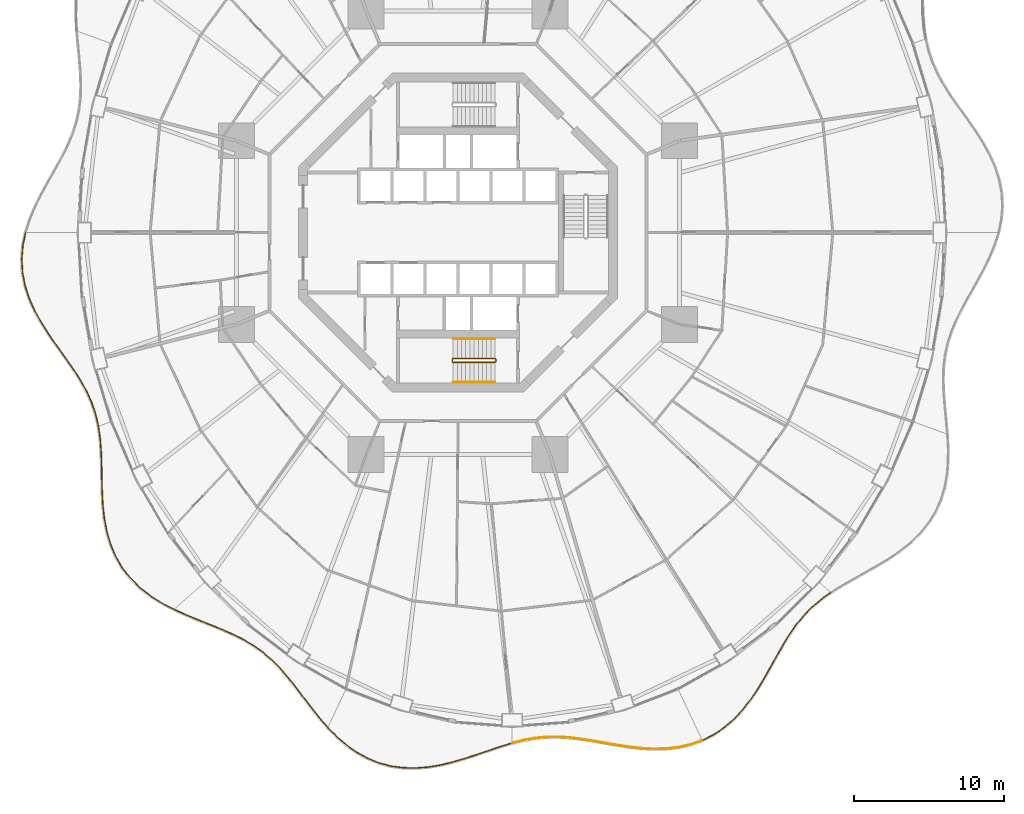
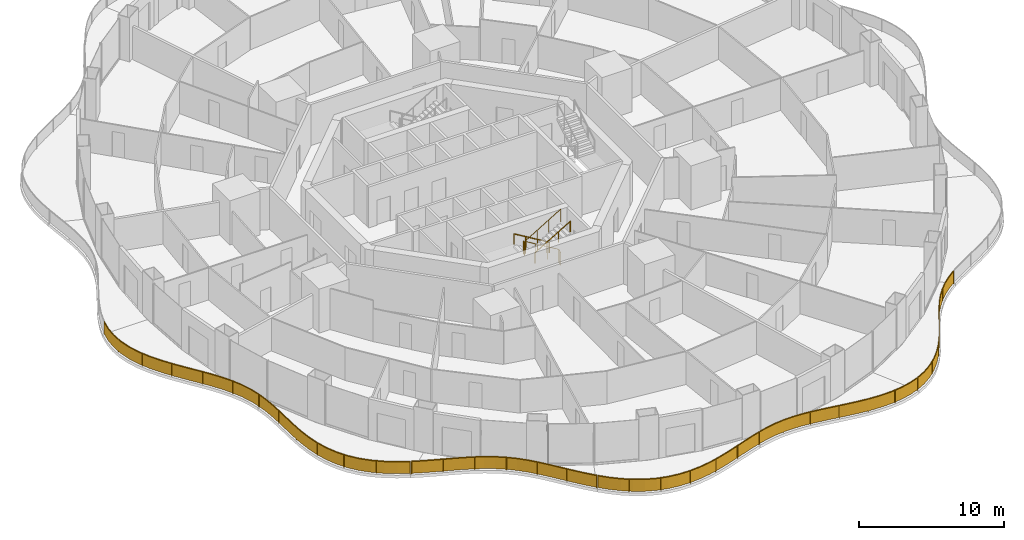
# One storey, part 20 of 22: 9 railings.
"""IFC4 building model written with IfcOpenShell, lengths in metres."""

from ifc_helpers import new_model, si_unit, direction, frame, origin, origin_2d, place, context, subcontext, project, spatial, polyline, rectangle, circle, outline, extrude, material, type_object, element, save


model = new_model("IFC4")

# Units and contexts
model_context = context("Model", 3, precision=1e-05, world=origin(), true_north=direction((0.0, 1.0)))
body_context = subcontext(model_context, "Body", "Model", "MODEL_VIEW")
ifc_project = project(units=[si_unit("LENGTHUNIT", "METRE"), si_unit("AREAUNIT", "SQUARE_METRE"), si_unit("VOLUMEUNIT", "CUBIC_METRE"), si_unit("PLANEANGLEUNIT", "RADIAN"), si_unit("MASSUNIT", "GRAM", prefix="KILO")], contexts=[model_context])

# Site, building, storey
site_placement = place(None, origin())
site = spatial("IfcSite", under=ifc_project, at=site_placement, CompositionType="ELEMENT")
building_placement = place(site_placement, origin())
building = spatial("IfcBuilding", under=site, at=building_placement, Name="Nagisa Residences", CompositionType="ELEMENT")
storey_placement = place(building_placement, frame((0.0, 0.0, 52.89990234375)))
storey = spatial("IfcBuildingStorey", under=building, at=storey_placement, Name="L12", CompositionType="ELEMENT", Elevation=52.89990234375)

# Railings
ifc_material_1 = material(Name="Stainless steel 316", Category="steel")
railing_type_1 = type_object("IfcRailingType", Name="BALCONY GUARD 1100", PredefinedType="BALUSTRADE", material=ifc_material_1)
railing_1_placement = place(storey_placement, frame((-28.8359375, -0.037841796875, 0.0)))
element("IfcRailing", 1, at=railing_1_placement, inside=storey, type_object=railing_type_1, Name="guard:L12:bal08-0", PredefinedType="BALUSTRADE", context=body_context, shape_type="SweptSolid", body=[
    extrude(outline(polyline([(-0.1494140625, -0.84423828125), (0.0244140625, -0.005126953125), (-0.0244140625, 0.005126953125), (-0.19921875, -0.83740234375), (-0.269287109375, -1.729736328125), (-0.22021484375, -2.619384765625), (-0.052490234375, -3.4990234375), (0.22607421875, -4.363037109375), (0.6005859375, -5.19189453125), (1.0546875, -6.0107421875), (1.563720703125, -6.80517578125), (2.101806640625, -7.577392578125), (2.64306640625, -8.331787109375), (3.158935546875, -9.060791015625), (3.63427734375, -9.799560546875), (4.048583984375, -10.54296875), (4.390625, -11.30029296875), (4.654296875, -12.078857421875), (4.832763671875, -12.845703125), (4.881591796875, -12.83447265625), (4.70263671875, -12.065185546875), (4.43701171875, -11.28173828125), (4.093505859375, -10.5205078125), (3.67724609375, -9.773681640625), (3.200439453125, -9.032958984375), (2.68359375, -8.302978515625), (2.142822265625, -7.548583984375), (1.605224609375, -6.77734375), (1.09765625, -5.98486328125), (0.6455078125, -5.16943359375), (0.27294921875, -4.344970703125), (-0.004150390625, -3.48681640625), (-0.17041015625, -2.613525390625), (-0.218994140625, -1.730224609375), (-0.1494140625, -0.84423828125)])), frame((0.0, 0.0, 1.050048828125)), (0.0, 0.0, 1.0), 0.050048828125),
    extrude(outline(polyline([(-0.16748046875, -0.841796875), (0.0068359375, -0.00146484375), (-0.0068359375, 0.00146484375), (-0.18115234375, -0.83984375), (-0.251220703125, -1.72998046875), (-0.202392578125, -2.6171875), (-0.03515625, -3.49462890625), (0.242919921875, -4.3564453125), (0.61669921875, -5.183837890625), (1.070068359375, -6.00146484375), (1.57861328125, -6.795166015625), (2.11669921875, -7.567138671875), (2.65771484375, -8.321533203125), (3.173828125, -9.05078125), (3.649658203125, -9.790283203125), (4.064697265625, -10.534912109375), (4.4072265625, -11.293701171875), (4.671630859375, -12.073974609375), (4.850341796875, -12.841552734375), (4.864013671875, -12.838623046875), (4.685302734375, -12.070068359375), (4.42041015625, -11.288330078125), (4.077392578125, -10.528564453125), (3.661865234375, -9.782958984375), (3.185546875, -9.04296875), (2.6689453125, -8.313232421875), (2.1279296875, -7.558837890625), (1.59033203125, -6.787353515625), (1.082275390625, -5.994140625), (0.62939453125, -5.177490234375), (0.256103515625, -4.3515625), (-0.021484375, -3.4912109375), (-0.188232421875, -2.61572265625), (-0.237060546875, -1.72998046875), (-0.16748046875, -0.841796875)])), frame((0.0, 0.0, 0.06005859375)), (0.0, 0.0, 1.0), 0.989990234375),
    extrude(rectangle(XDim=0.0400390625, YDim=0.0400390625, at=origin_2d()), origin(), (0.0, 0.0, 1.0), 1.050048828125),
    extrude(rectangle(XDim=0.0400390625, YDim=0.0400390625, at=origin_2d()), frame((-0.210693359375, -2.338623046875, 0.0)), (0.0, 0.0, 1.0), 1.050048828125),
    extrude(rectangle(XDim=0.0400390625, YDim=0.0400390625, at=origin_2d()), frame((0.366943359375, -4.613525390625, 0.0)), (0.0, 0.0, 1.0), 1.050048828125),
    extrude(rectangle(XDim=0.0400390625, YDim=0.0400390625, at=origin_2d()), frame((1.509521484375, -6.67431640625, 0.0)), (0.0, 0.0, 1.0), 1.050048828125),
    extrude(rectangle(XDim=0.0400390625, YDim=0.0400390625, at=origin_2d()), frame((2.866943359375, -8.60498046875, 0.0)), (0.0, 0.0, 1.0), 1.050048828125),
    extrude(rectangle(XDim=0.0400390625, YDim=0.0400390625, at=origin_2d()), frame((4.1064453125, -10.610107421875, 0.0)), (0.0, 0.0, 1.0), 1.050048828125),
    extrude(rectangle(XDim=0.0400390625, YDim=0.0400390625, at=origin_2d()), frame((4.857177734375, -12.840087890625, 0.0)), (0.0, 0.0, 1.0), 1.050048828125),
])
railing_2_placement = place(storey_placement, frame((-23.96728515625, -12.947021484375, 0.0)))
element("IfcRailing", 2, at=railing_2_placement, inside=storey, type_object=railing_type_1, Name="guard:L12:bal09-0", PredefinedType="BALUSTRADE", context=body_context, shape_type="SweptSolid", body=[
    extrude(outline(polyline([(0.135498046875, -0.769775390625), (0.024658203125, 0.003662109375), (-0.024658203125, -0.003662109375), (0.085693359375, -0.775146484375), (0.15087890625, -1.618408203125), (0.181396484375, -2.49072265625), (0.197265625, -3.386474609375), (0.2197265625, -4.29833984375), (0.2646484375, -5.20263671875), (0.3662109375, -6.113525390625), (0.535888671875, -7.004638671875), (0.7880859375, -7.862548828125), (1.133056640625, -8.6748046875), (1.56689453125, -9.4189453125), (2.104248046875, -10.110107421875), (2.731689453125, -10.73291015625), (3.4375, -11.286376953125), (4.20654296875, -11.773681640625), (4.981689453125, -12.179443359375), (5.005126953125, -12.135009765625), (4.2314453125, -11.730224609375), (3.46630859375, -11.245361328125), (2.764892578125, -10.6953125), (2.141845703125, -10.076904296875), (1.6083984375, -9.390625), (1.177978515625, -8.65234375), (0.83544921875, -7.845458984375), (0.584716796875, -6.992919921875), (0.41552734375, -6.106201171875), (0.314453125, -5.19873046875), (0.26953125, -4.29638671875), (0.2470703125, -3.385498046875), (0.231201171875, -2.4892578125), (0.20068359375, -1.615478515625), (0.135498046875, -0.769775390625)])), frame((0.0, 0.0, 1.050048828125)), (0.0, 0.0, 1.0), 0.050048828125),
    extrude(outline(polyline([(0.11767578125, -0.771728515625), (0.0068359375, 0.0009765625), (-0.0068359375, -0.0009765625), (0.103515625, -0.773193359375), (0.168701171875, -1.617431640625), (0.19921875, -2.490234375), (0.215087890625, -3.38623046875), (0.237548828125, -4.297607421875), (0.282470703125, -5.201171875), (0.384033203125, -6.11083984375), (0.553466796875, -7.00048828125), (0.80517578125, -7.8564453125), (1.149169921875, -8.666748046875), (1.581787109375, -9.40869140625), (2.11767578125, -10.09814453125), (2.74365234375, -10.719482421875), (3.44775390625, -11.271484375), (4.215576171875, -11.758056640625), (4.990234375, -12.163330078125), (4.99658203125, -12.151123046875), (4.222412109375, -11.745849609375), (3.4560546875, -11.26025390625), (2.7529296875, -10.708740234375), (2.12841796875, -10.0888671875), (1.593505859375, -9.40087890625), (1.161865234375, -8.660400390625), (0.818359375, -7.8515625), (0.567138671875, -6.9970703125), (0.397705078125, -6.10888671875), (0.296630859375, -5.2001953125), (0.251708984375, -4.297119140625), (0.229248046875, -3.3857421875), (0.21337890625, -2.48974609375), (0.182861328125, -1.616455078125), (0.11767578125, -0.771728515625)])), frame((0.0, 0.0, 0.06005859375)), (0.0, 0.0, 1.0), 0.989990234375),
    extrude(rectangle(XDim=0.0400390625, YDim=0.0400390625, at=origin_2d()), origin(), (0.0, 0.0, 1.0), 1.050048828125),
    extrude(rectangle(XDim=0.0400390625, YDim=0.0400390625, at=origin_2d()), frame((0.200927734375, -2.337646484375, 0.0)), (0.0, 0.0, 1.0), 1.050048828125),
    extrude(rectangle(XDim=0.0400390625, YDim=0.0400390625, at=origin_2d()), frame((0.263916015625, -4.685302734375, 0.0)), (0.0, 0.0, 1.0), 1.050048828125),
    extrude(rectangle(XDim=0.0400390625, YDim=0.0400390625, at=origin_2d()), frame((0.56396484375, -7.01123046875, 0.0)), (0.0, 0.0, 1.0), 1.050048828125),
    extrude(rectangle(XDim=0.0400390625, YDim=0.0400390625, at=origin_2d()), frame((1.452880859375, -9.173583984375, 0.0)), (0.0, 0.0, 1.0), 1.050048828125),
    extrude(rectangle(XDim=0.0400390625, YDim=0.0400390625, at=origin_2d()), frame((3.006103515625, -10.916259765625, 0.0)), (0.0, 0.0, 1.0), 1.050048828125),
    extrude(rectangle(XDim=0.0400390625, YDim=0.0400390625, at=origin_2d()), frame((4.993408203125, -12.1572265625, 0.0)), (0.0, 0.0, 1.0), 1.050048828125),
])
railing_3_placement = place(storey_placement, frame((-18.904296875, -25.136962890625, 0.0)))
element("IfcRailing", 3, at=railing_3_placement, inside=storey, type_object=railing_type_1, Name="guard:L12:bal10-0", PredefinedType="BALUSTRADE", context=body_context, shape_type="SweptSolid", body=[
    extrude(outline(polyline([(0.770263671875, -0.32080078125), (0.01025390625, 0.022705078125), (-0.01025390625, -0.022705078125), (0.750244140625, -0.36669921875), (1.56005859375, -0.701904296875), (2.362548828125, -1.020751953125), (3.143310546875, -1.338134765625), (3.891845703125, -1.669189453125), (4.588623046875, -2.0166015625), (5.254150390625, -2.41357421875), (5.87646484375, -2.85791015625), (6.458984375, -3.35498046875), (7.00927734375, -3.90625), (7.522216796875, -4.4990234375), (8.037109375, -5.144287109375), (8.55224609375, -5.8212890625), (9.079345703125, -6.51513671875), (9.630126953125, -7.20751953125), (10.180419921875, -7.845703125), (10.218505859375, -7.81298828125), (9.668701171875, -7.17578125), (9.118896484375, -6.484375), (8.59228515625, -5.791015625), (8.07666015625, -5.113525390625), (7.560791015625, -4.466796875), (7.0458984375, -3.8720703125), (6.4931640625, -3.318359375), (5.9072265625, -2.818359375), (5.281494140625, -2.37158203125), (4.612548828125, -1.97265625), (3.913330078125, -1.623779296875), (3.162841796875, -1.292236328125), (2.381103515625, -0.974365234375), (1.5791015625, -0.655517578125), (0.770263671875, -0.32080078125)])), frame((0.0, 0.0, 1.050048828125)), (0.0, 0.0, 1.0), 0.050048828125),
    extrude(outline(polyline([(0.762939453125, -0.33740234375), (0.0029296875, 0.00634765625), (-0.0029296875, -0.00634765625), (0.757568359375, -0.35009765625), (1.56689453125, -0.685302734375), (2.369140625, -1.004150390625), (3.150390625, -1.321533203125), (3.899658203125, -1.65283203125), (4.59716796875, -2.000732421875), (5.263916015625, -2.3984375), (5.887451171875, -2.84375), (6.471435546875, -3.341796875), (7.0224609375, -3.89404296875), (7.5361328125, -4.4873046875), (8.05126953125, -5.13330078125), (8.566650390625, -5.810302734375), (9.093505859375, -6.504150390625), (9.64404296875, -7.196044921875), (10.194091796875, -7.833984375), (10.204833984375, -7.82470703125), (9.65478515625, -7.187255859375), (9.104736328125, -6.495361328125), (8.577880859375, -5.802001953125), (8.0625, -5.12451171875), (7.546875, -4.478515625), (7.03271484375, -3.88427734375), (6.480712890625, -3.33154296875), (5.896240234375, -2.83251953125), (5.271728515625, -2.38671875), (4.60400390625, -1.988525390625), (3.905517578125, -1.64013671875), (3.15576171875, -1.308837890625), (2.37451171875, -0.990966796875), (1.572265625, -0.672119140625), (0.762939453125, -0.33740234375)])), frame((0.0, 0.0, 0.06005859375)), (0.0, 0.0, 1.0), 0.989990234375),
    extrude(rectangle(XDim=0.0400390625, YDim=0.0400390625, at=origin_2d()), origin(), (0.0, 0.0, 1.0), 1.050048828125),
    extrude(rectangle(XDim=0.0400390625, YDim=0.0400390625, at=origin_2d()), frame((2.019775390625, -0.857666015625, 0.0)), (0.0, 0.0, 1.0), 1.050048828125),
    extrude(rectangle(XDim=0.0400390625, YDim=0.0400390625, at=origin_2d()), frame((4.03955078125, -1.71484375, 0.0)), (0.0, 0.0, 1.0), 1.050048828125),
    extrude(rectangle(XDim=0.0400390625, YDim=0.0400390625, at=origin_2d()), frame((5.910400390625, -2.85400390625, 0.0)), (0.0, 0.0, 1.0), 1.050048828125),
    extrude(rectangle(XDim=0.0400390625, YDim=0.0400390625, at=origin_2d()), frame((7.46630859375, -4.39599609375, 0.0)), (0.0, 0.0, 1.0), 1.050048828125),
    extrude(rectangle(XDim=0.0400390625, YDim=0.0400390625, at=origin_2d()), frame((8.815673828125, -6.126708984375, 0.0)), (0.0, 0.0, 1.0), 1.050048828125),
    extrude(rectangle(XDim=0.0400390625, YDim=0.0400390625, at=origin_2d()), frame((10.199462890625, -7.829345703125, 0.0)), (0.0, 0.0, 1.0), 1.050048828125),
])
railing_4_placement = place(storey_placement, frame((-8.6533203125, -33.023681640625, 0.0)))
element("IfcRailing", 4, at=railing_4_placement, inside=storey, type_object=railing_type_1, Name="guard:L12:bal11-0", PredefinedType="BALUSTRADE", context=body_context, shape_type="SweptSolid", body=[
    extrude(outline(polyline([(0.581787109375, -0.559326171875), (0.017822265625, 0.017578125), (-0.017822265625, -0.017578125), (0.547607421875, -0.595947265625), (1.189697265625, -1.151611328125), (1.874267578125, -1.6376953125), (2.60107421875, -2.04150390625), (3.365478515625, -2.353271484375), (4.1455078125, -2.56298828125), (4.96728515625, -2.67919921875), (5.8056640625, -2.701416015625), (6.65185546875, -2.63671875), (7.498046875, -2.4970703125), (8.319091796875, -2.295166015625), (9.144287109375, -2.053466796875), (9.953125, -1.787841796875), (10.74267578125, -1.517578125), (11.513916015625, -1.260498046875), (12.226318359375, -1.0439453125), (12.211669921875, -0.99609375), (11.498779296875, -1.212646484375), (10.7265625, -1.47021484375), (9.93701171875, -1.740478515625), (9.129638671875, -2.005615234375), (8.305908203125, -2.246826171875), (7.48779296875, -2.4482421875), (6.64599609375, -2.5869140625), (5.80419921875, -2.651123046875), (4.9716796875, -2.62939453125), (4.15576171875, -2.513671875), (3.381591796875, -2.305908203125), (2.62255859375, -1.99609375), (1.901123046875, -1.59521484375), (1.220458984375, -1.112060546875), (0.581787109375, -0.559326171875)])), frame((0.0, 0.0, 1.050048828125)), (0.0, 0.0, 1.0), 0.050048828125),
    extrude(outline(polyline([(0.569580078125, -0.572509765625), (0.005126953125, 0.0048828125), (-0.005126953125, -0.0048828125), (0.559814453125, -0.582763671875), (1.20068359375, -1.137451171875), (1.884033203125, -1.622314453125), (2.60888671875, -2.025146484375), (3.371337890625, -2.336181640625), (4.149169921875, -2.545166015625), (4.968994140625, -2.661376953125), (5.80517578125, -2.683349609375), (6.649658203125, -2.61865234375), (7.494384765625, -2.4794921875), (8.314208984375, -2.27783203125), (9.13916015625, -2.0361328125), (9.947265625, -1.770751953125), (10.73681640625, -1.50048828125), (11.508544921875, -1.2431640625), (12.220947265625, -1.026611328125), (12.217041015625, -1.013427734375), (11.504150390625, -1.22998046875), (10.732421875, -1.4873046875), (9.94287109375, -1.757568359375), (9.134765625, -2.02294921875), (8.310791015625, -2.26416015625), (7.491455078125, -2.4658203125), (6.648193359375, -2.60498046875), (5.8046875, -2.669189453125), (4.969970703125, -2.647216796875), (4.152099609375, -2.531494140625), (3.375732421875, -2.322998046875), (2.61474609375, -2.012451171875), (1.891357421875, -1.610595703125), (1.20947265625, -1.126220703125), (0.569580078125, -0.572509765625)])), frame((0.0, 0.0, 0.06005859375)), (0.0, 0.0, 1.0), 0.989990234375),
    extrude(rectangle(XDim=0.0400390625, YDim=0.0400390625, at=origin_2d()), origin(), (0.0, 0.0, 1.0), 1.050048828125),
    extrude(rectangle(XDim=0.0400390625, YDim=0.0400390625, at=origin_2d()), frame((1.65771484375, -1.453125, 0.0)), (0.0, 0.0, 1.0), 1.050048828125),
    extrude(rectangle(XDim=0.0400390625, YDim=0.0400390625, at=origin_2d()), frame((3.640625, -2.4013671875, 0.0)), (0.0, 0.0, 1.0), 1.050048828125),
    extrude(rectangle(XDim=0.0400390625, YDim=0.0400390625, at=origin_2d()), frame((5.823974609375, -2.6748046875, 0.0)), (0.0, 0.0, 1.0), 1.050048828125),
    extrude(rectangle(XDim=0.0400390625, YDim=0.0400390625, at=origin_2d()), frame((8.004638671875, -2.3466796875, 0.0)), (0.0, 0.0, 1.0), 1.050048828125),
    extrude(rectangle(XDim=0.0400390625, YDim=0.0400390625, at=origin_2d()), frame((10.1181640625, -1.704833984375, 0.0)), (0.0, 0.0, 1.0), 1.050048828125),
    extrude(rectangle(XDim=0.0400390625, YDim=0.0400390625, at=origin_2d()), frame((12.218994140625, -1.02001953125, 0.0)), (0.0, 0.0, 1.0), 1.050048828125),
])
railing_5_placement = place(storey_placement, frame((3.634765625, -34.0224609375, 0.0)))
element("IfcRailing", 5, at=railing_5_placement, inside=storey, type_object=railing_type_1, Name="guard:L12:bal12-0", PredefinedType="BALUSTRADE", context=body_context, shape_type="SweptSolid", body=[
    extrude(outline(polyline([(0.6953125, 0.199951171875), (-0.006103515625, 0.024169921875), (0.006103515625, -0.024169921875), (0.7060546875, 0.151123046875), (1.442138671875, 0.28369140625), (2.177734375, 0.359130859375), (2.919677734375, 0.3759765625), (3.6728515625, 0.33837890625), (4.4248046875, 0.2509765625), (5.21435546875, 0.13134765625), (6.023681640625, -0.009033203125), (6.8525390625, -0.15283203125), (7.697265625, -0.2822265625), (8.535400390625, -0.38330078125), (9.39306640625, -0.4296875), (10.244873046875, -0.41015625), (11.0810546875, -0.31298828125), (11.89208984375, -0.129150390625), (12.62255859375, 0.12939453125), (12.60595703125, 0.1767578125), (11.8779296875, -0.080810546875), (11.07275390625, -0.263671875), (10.241455078125, -0.3603515625), (9.39404296875, -0.37939453125), (8.539794921875, -0.33349609375), (7.7041015625, -0.232421875), (6.86083984375, -0.103515625), (6.032470703125, 0.040283203125), (5.22216796875, 0.1806640625), (4.431640625, 0.30078125), (3.6767578125, 0.38818359375), (2.920166015625, 0.42626953125), (2.1748046875, 0.408935546875), (1.435302734375, 0.33349609375), (0.6953125, 0.199951171875)])), frame((0.0, 0.0, 1.050048828125)), (0.0, 0.0, 1.0), 0.050048828125),
    extrude(outline(polyline([(0.69921875, 0.182373046875), (-0.001708984375, 0.0068359375), (0.001708984375, -0.0068359375), (0.7021484375, 0.168701171875), (1.439697265625, 0.3017578125), (2.1767578125, 0.376953125), (2.919921875, 0.39404296875), (3.67431640625, 0.356201171875), (4.42724609375, 0.26904296875), (5.217041015625, 0.149169921875), (6.02685546875, 0.0087890625), (6.85546875, -0.135009765625), (7.69970703125, -0.26416015625), (8.537109375, -0.365478515625), (9.3935546875, -0.41162109375), (10.24365234375, -0.392333984375), (11.078125, -0.295166015625), (11.886962890625, -0.11181640625), (12.61669921875, 0.146484375), (12.61181640625, 0.15966796875), (11.883056640625, -0.09814453125), (11.07568359375, -0.281494140625), (10.24267578125, -0.378173828125), (9.3935546875, -0.3974609375), (8.5380859375, -0.351318359375), (7.70166015625, -0.25048828125), (6.85791015625, -0.121337890625), (6.029296875, 0.0224609375), (5.219482421875, 0.162841796875), (4.42919921875, 0.28271484375), (3.67529296875, 0.370361328125), (2.919921875, 0.408203125), (2.17578125, 0.39111328125), (1.437744140625, 0.3154296875), (0.69921875, 0.182373046875)])), frame((0.0, 0.0, 0.06005859375)), (0.0, 0.0, 1.0), 0.989990234375),
    extrude(rectangle(XDim=0.0400390625, YDim=0.0400390625, at=origin_2d()), origin(), (0.0, 0.0, 1.0), 1.050048828125),
    extrude(rectangle(XDim=0.0400390625, YDim=0.0400390625, at=origin_2d()), frame((2.093017578125, 0.37548828125, 0.0)), (0.0, 0.0, 1.0), 1.050048828125),
    extrude(rectangle(XDim=0.0400390625, YDim=0.0400390625, at=origin_2d()), frame((4.217529296875, 0.30029296875, 0.0)), (0.0, 0.0, 1.0), 1.050048828125),
    extrude(rectangle(XDim=0.0400390625, YDim=0.0400390625, at=origin_2d()), frame((6.320556640625, -0.03515625, 0.0)), (0.0, 0.0, 1.0), 1.050048828125),
    extrude(rectangle(XDim=0.0400390625, YDim=0.0400390625, at=origin_2d()), frame((8.42724609375, -0.344970703125, 0.0)), (0.0, 0.0, 1.0), 1.050048828125),
    extrude(rectangle(XDim=0.0400390625, YDim=0.0400390625, at=origin_2d()), frame((10.552734375, -0.349365234375, 0.0)), (0.0, 0.0, 1.0), 1.050048828125),
    extrude(rectangle(XDim=0.0400390625, YDim=0.0400390625, at=origin_2d()), frame((12.6142578125, 0.153076171875, 0.0)), (0.0, 0.0, 1.0), 1.050048828125),
])
railing_6_placement = place(storey_placement, frame((16.320068359375, -33.8388671875, 0.0)))
element("IfcRailing", 6, at=railing_6_placement, inside=storey, type_object=railing_type_1, Name="guard:L12:bal13-0", PredefinedType="BALUSTRADE", context=body_context, shape_type="SweptSolid", body=[
    extrude(outline(polyline([(0.703125, 0.3818359375), (-0.01123046875, 0.0224609375), (0.01123046875, -0.0224609375), (0.728515625, 0.33837890625), (1.43701171875, 0.81640625), (2.08984375, 1.380615234375), (2.685791015625, 2.018310546875), (3.227783203125, 2.714111328125), (3.708984375, 3.441162109375), (4.1650390625, 4.199462890625), (4.593994140625, 4.962158203125), (5.00927734375, 5.712158203125), (5.425048828125, 6.434814453125), (5.842041015625, 7.109130859375), (6.298095703125, 7.748046875), (6.791015625, 8.337646484375), (7.3291015625, 8.87841796875), (7.916015625, 9.3740234375), (8.51806640625, 9.807373046875), (8.48876953125, 9.847900390625), (7.88525390625, 9.41357421875), (7.294921875, 8.9150390625), (6.75390625, 8.371337890625), (6.258544921875, 7.77880859375), (5.800537109375, 7.136962890625), (5.382080078125, 6.460693359375), (4.9658203125, 5.736572265625), (4.550537109375, 4.986572265625), (4.12158203125, 4.224853515625), (3.66650390625, 3.468017578125), (3.187255859375, 2.743408203125), (2.647705078125, 2.051025390625), (2.05517578125, 1.416748046875), (1.40673828125, 0.8564453125), (0.703125, 0.3818359375)])), frame((0.0, 0.0, 1.050048828125)), (0.0, 0.0, 1.0), 0.050048828125),
    extrude(outline(polyline([(0.712158203125, 0.3662109375), (-0.003173828125, 0.00634765625), (0.003173828125, -0.00634765625), (0.719482421875, 0.35400390625), (1.426025390625, 0.830810546875), (2.077392578125, 1.3935546875), (2.672119140625, 2.030029296875), (3.213134765625, 2.724609375), (3.693603515625, 3.450927734375), (4.1494140625, 4.208740234375), (4.578369140625, 4.970947265625), (4.99365234375, 5.720947265625), (5.40966796875, 6.444091796875), (5.8271484375, 7.119140625), (6.283935546875, 7.759033203125), (6.777587890625, 8.349853515625), (7.316650390625, 8.8916015625), (7.905029296875, 9.38818359375), (8.507568359375, 9.822021484375), (8.499267578125, 9.833251953125), (7.896240234375, 9.3994140625), (7.307373046875, 8.90185546875), (6.767333984375, 8.359130859375), (6.272705078125, 7.767822265625), (5.8154296875, 7.126953125), (5.3974609375, 6.451416015625), (4.9814453125, 5.727783203125), (4.566162109375, 4.977783203125), (4.13720703125, 4.215576171875), (3.681884765625, 3.458251953125), (3.201904296875, 2.73291015625), (2.661376953125, 2.039306640625), (2.067626953125, 1.40380859375), (1.417724609375, 0.842041015625), (0.712158203125, 0.3662109375)])), frame((0.0, 0.0, 0.06005859375)), (0.0, 0.0, 1.0), 0.989990234375),
    extrude(rectangle(XDim=0.0400390625, YDim=0.0400390625, at=origin_2d()), origin(), (0.0, 0.0, 1.0), 1.050048828125),
    extrude(rectangle(XDim=0.0400390625, YDim=0.0400390625, at=origin_2d()), frame((1.83740234375, 1.195556640625, 0.0)), (0.0, 0.0, 1.0), 1.050048828125),
    extrude(rectangle(XDim=0.0400390625, YDim=0.0400390625, at=origin_2d()), frame((3.285400390625, 2.846435546875, 0.0)), (0.0, 0.0, 1.0), 1.050048828125),
    extrude(rectangle(XDim=0.0400390625, YDim=0.0400390625, at=origin_2d()), frame((4.43212890625, 4.7255859375, 0.0)), (0.0, 0.0, 1.0), 1.050048828125),
    extrude(rectangle(XDim=0.0400390625, YDim=0.0400390625, at=origin_2d()), frame((5.52197265625, 6.638916015625, 0.0)), (0.0, 0.0, 1.0), 1.050048828125),
    extrude(rectangle(XDim=0.0400390625, YDim=0.0400390625, at=origin_2d()), frame((6.825927734375, 8.408203125, 0.0)), (0.0, 0.0, 1.0), 1.050048828125),
    extrude(rectangle(XDim=0.0400390625, YDim=0.0400390625, at=origin_2d()), frame((8.50341796875, 9.82763671875, 0.0)), (0.0, 0.0, 1.0), 1.050048828125),
])
ifc_material_2 = material(Name="Stainless steel", Category="steel")
railing_type_2 = type_object("IfcRailingType", Name="Stair guard 1100", PredefinedType="GUARDRAIL", material=ifc_material_2)
railing_7_placement = place(storey_placement, frame((2.52490234375, -8.599609375, 0.0)))
element("IfcRailing", 7, at=railing_7_placement, inside=storey, type_object=railing_type_2, Name="L12 ST-S stair guard 1", PredefinedType="GUARDRAIL", context=body_context, shape_type="SweptSolid", body=[
    extrude(circle(Radius=0.02392578125, at=origin_2d()), frame((0.0, 0.0, 1.076171875), z_axis=(0.0, 1.0, 0.0), x_axis=(-1.0, 0.0, 0.0)), (0.0, 0.0, 1.0), 0.14990234375),
    extrude(circle(Radius=0.02392578125, at=origin_2d()), frame((0.0, 0.14990234375, 1.076171875), z_axis=(-0.273006030465, 0.27434429532, 0.922064485248), x_axis=(-0.708833529934, -0.705375805398, 0.0)), (0.0, 0.0, 1.0), 0.182373046875),
    extrude(circle(Radius=0.02392578125, at=origin_2d()), frame((-0.0498046875, 0.199951171875, 1.244140625), z_axis=(-0.857242210791, 0.0, 0.514913383045), x_axis=(0.0, -1.0, 0.0)), (0.0, 0.0, 1.0), 3.266357421875),
    extrude(circle(Radius=0.02392578125, at=origin_2d()), frame((-2.849853515625, 0.199951171875, 2.92626953125), z_axis=(-0.707106781187, -0.707106781187, 0.0), x_axis=(0.707106781187, -0.707106781187, 0.0)), (0.0, 0.0, 1.0), 0.07080078125),
    extrude(circle(Radius=0.02392578125, at=origin_2d()), frame((-2.89990234375, 0.14990234375, 2.92626953125), z_axis=(0.0, -1.0, 0.0), x_axis=(1.0, 0.0, 0.0)), (0.0, 0.0, 1.0), 0.14990234375),
    extrude(circle(Radius=0.02392578125, at=origin_2d()), frame((-2.89990234375, 0.0, 2.92626953125), z_axis=(0.274243871929, -0.274243871929, 0.92172696468), x_axis=(0.707106781187, 0.707106781187, 0.0)), (0.0, 0.0, 1.0), 0.1826171875),
    extrude(circle(Radius=0.02392578125, at=origin_2d()), frame((-2.849853515625, -0.050048828125, 3.09423828125), z_axis=(0.857242210791, 0.0, 0.514913383045), x_axis=(0.0, 1.0, 0.0)), (0.0, 0.0, 1.0), 3.266357421875),
    extrude(circle(Radius=0.02099609375, at=origin_2d()), origin(), (0.0, 0.0, 1.0), 1.052001953125),
    extrude(circle(Radius=0.02099609375, at=origin_2d()), frame((0.0, 0.14990234375, 0.0)), (0.0, 0.0, 1.0), 1.052001953125),
    extrude(circle(Radius=0.02099609375, at=origin_2d()), frame((-0.0498046875, 0.199951171875, 0.168212890625)), (0.0, 0.0, 1.0), 1.052001953125),
    extrude(circle(Radius=0.02099609375, at=origin_2d()), frame((-0.983154296875, 0.199951171875, 0.728759765625)), (0.0, 0.0, 1.0), 1.052001953125),
    extrude(circle(Radius=0.02099609375, at=origin_2d()), frame((-1.91650390625, 0.199951171875, 1.28955078125)), (0.0, 0.0, 1.0), 1.052001953125),
    extrude(circle(Radius=0.02099609375, at=origin_2d()), frame((-2.849853515625, 0.199951171875, 1.85009765625)), (0.0, 0.0, 1.0), 1.052001953125),
    extrude(circle(Radius=0.02099609375, at=origin_2d()), frame((-2.89990234375, 0.14990234375, 1.85009765625)), (0.0, 0.0, 1.0), 1.052001953125),
    extrude(circle(Radius=0.02099609375, at=origin_2d()), frame((-2.89990234375, 0.0, 1.85009765625)), (0.0, 0.0, 1.0), 1.052001953125),
    extrude(circle(Radius=0.02099609375, at=origin_2d()), frame((-2.849853515625, -0.050048828125, 2.018310546875)), (0.0, 0.0, 1.0), 1.052001953125),
    extrude(circle(Radius=0.02099609375, at=origin_2d()), frame((-1.91650390625, -0.050048828125, 2.578857421875)), (0.0, 0.0, 1.0), 1.052001953125),
    extrude(circle(Radius=0.02099609375, at=origin_2d()), frame((-0.983154296875, -0.050048828125, 3.1396484375)), (0.0, 0.0, 1.0), 1.052001953125),
    extrude(circle(Radius=0.02099609375, at=origin_2d()), frame((-0.0498046875, -0.050048828125, 3.7001953125)), (0.0, 0.0, 1.0), 1.052001953125),
])
ifc_material_3 = material(Name="Stainless steel", Category="steel")
railing_type_3 = type_object("IfcRailingType", Name="Stair handrail 900", PredefinedType="HANDRAIL", material=ifc_material_3)
railing_8_placement = place(storey_placement, frame((2.47509765625, -7.07470703125, 0.168212890625)))
element("IfcRailing", 8, at=railing_8_placement, inside=storey, type_object=railing_type_3, Name="L12 ST-S stair handrail 1", PredefinedType="HANDRAIL", context=body_context, shape_type="SweptSolid", body=[
    extrude(circle(Radius=0.02392578125, at=origin_2d()), frame((0.0, 0.0, 0.8759765625), z_axis=(-0.857242210791, 0.0, 0.514913383045), x_axis=(0.0, -1.0, 0.0)), (0.0, 0.0, 1.0), 3.266357421875),
    extrude(circle(Radius=0.02099609375, at=origin_2d()), origin(), (0.0, 0.0, 1.0), 0.851806640625),
    extrude(circle(Radius=0.02099609375, at=origin_2d()), frame((-0.933349609375, 0.0, 0.560546875)), (0.0, 0.0, 1.0), 0.851806640625),
    extrude(circle(Radius=0.02099609375, at=origin_2d()), frame((-1.86669921875, 0.0, 1.121337890625)), (0.0, 0.0, 1.0), 0.851806640625),
    extrude(circle(Radius=0.02099609375, at=origin_2d()), frame((-2.800048828125, 0.0, 1.681884765625)), (0.0, 0.0, 1.0), 0.851806640625),
])
railing_9_placement = place(storey_placement, frame((-0.324951171875, -9.974609375, 2.018310546875)))
element("IfcRailing", 9, at=railing_9_placement, inside=storey, type_object=railing_type_3, Name="L12 ST-S stair handrail 2", PredefinedType="HANDRAIL", context=body_context, shape_type="SweptSolid", body=[
    extrude(circle(Radius=0.02392578125, at=origin_2d()), frame((0.0, 0.0, 0.8759765625), z_axis=(0.857242210791, 0.0, 0.514913383045), x_axis=(0.0, 1.0, 0.0)), (0.0, 0.0, 1.0), 3.266357421875),
    extrude(circle(Radius=0.02099609375, at=origin_2d()), origin(), (0.0, 0.0, 1.0), 0.851806640625),
    extrude(circle(Radius=0.02099609375, at=origin_2d()), frame((0.933349609375, 0.0, 0.560546875)), (0.0, 0.0, 1.0), 0.851806640625),
    extrude(circle(Radius=0.02099609375, at=origin_2d()), frame((1.86669921875, 0.0, 1.121337890625)), (0.0, 0.0, 1.0), 0.851806640625),
    extrude(circle(Radius=0.02099609375, at=origin_2d()), frame((2.800048828125, 0.0, 1.681884765625)), (0.0, 0.0, 1.0), 0.851806640625),
])

save(model, "model.ifc")
